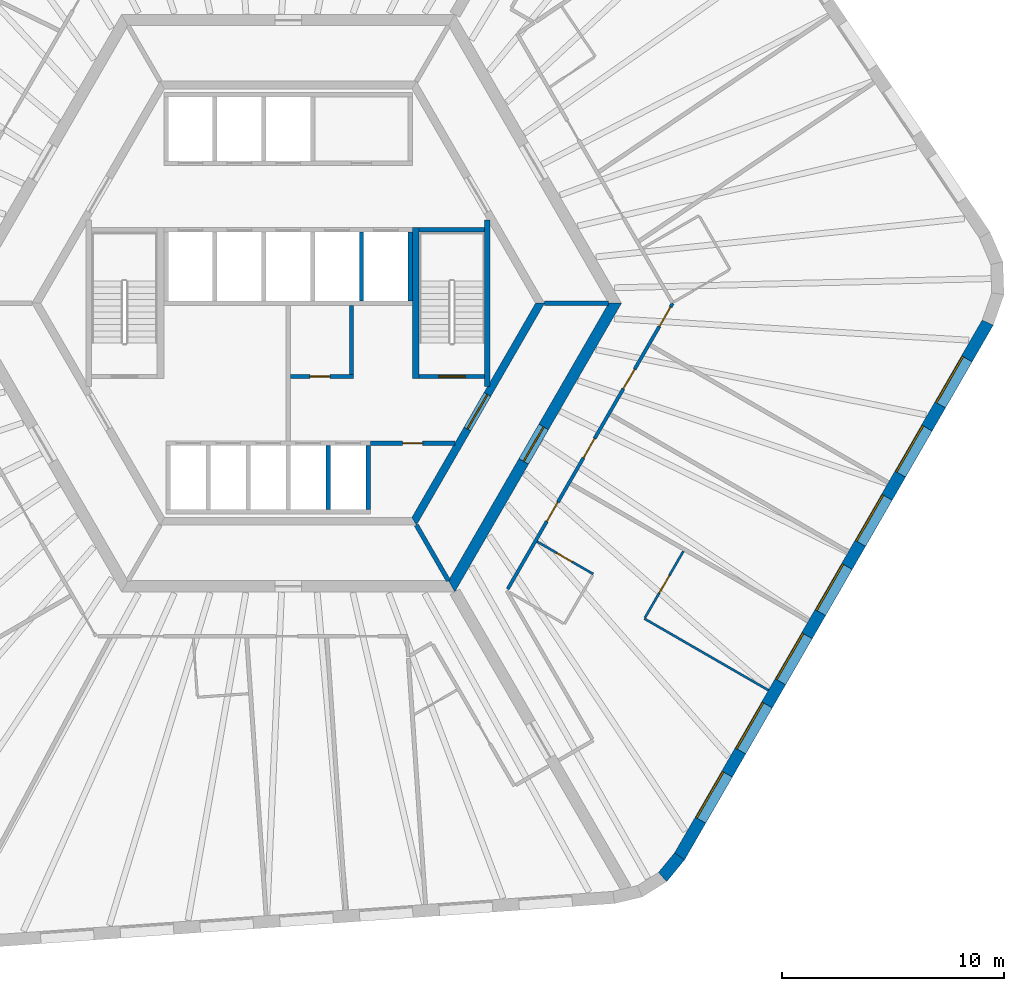
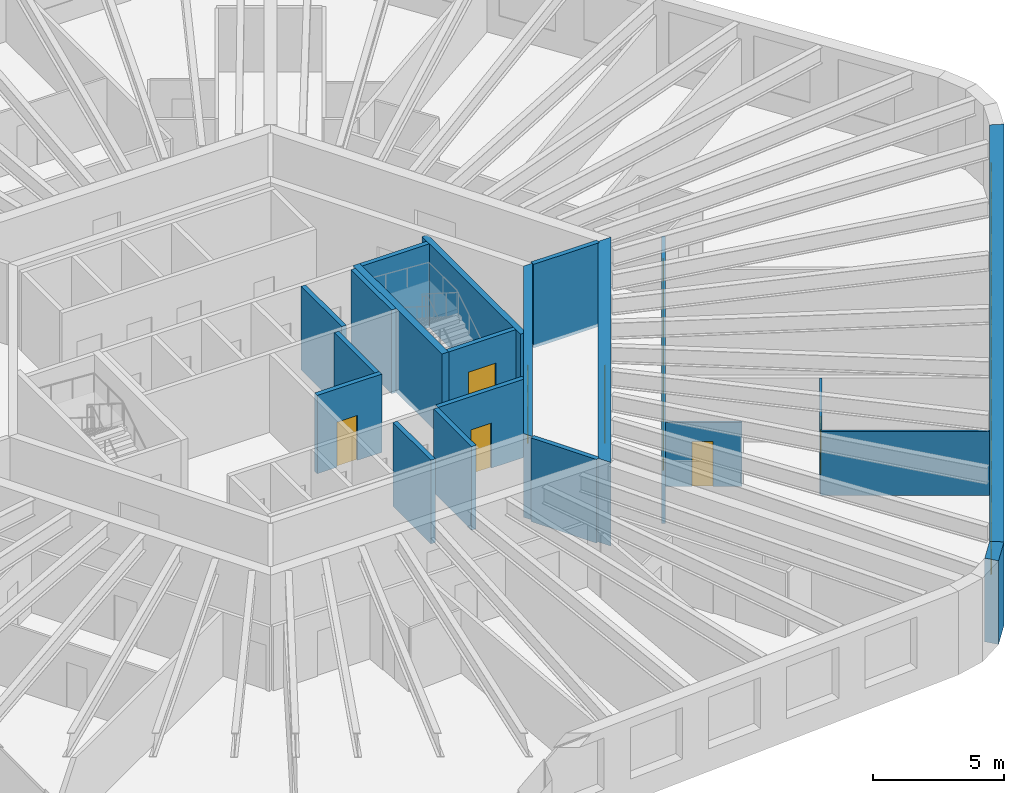
# One storey, part 5 of 10: 21 walls, 11 doors, 7 windows, 18 openings.
"""IFC4 building model written with IfcOpenShell, lengths in metres."""

from ifc_helpers import new_model, si_unit, direction, frame, frame_2d, origin, place, context, subcontext, project, spatial, polyline, rectangle, outline, extrude, material, layer, layer_set, type_object, element, fill, save


model = new_model("IFC4")

# Units and contexts
model_context = context("Model", 3, precision=1e-05, world=origin(), true_north=direction((0.0, 1.0)))
body_context = subcontext(model_context, "Body", "Model", "MODEL_VIEW")
ifc_project = project(units=[si_unit("LENGTHUNIT", "METRE"), si_unit("AREAUNIT", "SQUARE_METRE"), si_unit("VOLUMEUNIT", "CUBIC_METRE"), si_unit("PLANEANGLEUNIT", "RADIAN"), si_unit("MASSUNIT", "GRAM", prefix="KILO")], contexts=[model_context])

# Site, building, storey
site_placement = place(None, origin())
site = spatial("IfcSite", under=ifc_project, at=site_placement, CompositionType="ELEMENT")
building_placement = place(site_placement, origin())
building = spatial("IfcBuilding", under=site, at=building_placement, Name="Tarnside Tower", CompositionType="ELEMENT")
storey_placement = place(building_placement, frame((0.0, 0.0, 203.39990234375)))
storey = spatial("IfcBuildingStorey", under=building, at=storey_placement, Name="L48", CompositionType="ELEMENT", Elevation=203.39990234375)

# Wall, opening, door
ifc_material_1 = material(Name="Gypsum board partition on steel studs", Category="steel")
ifc_layer_1 = layer(ifc_material_1, 0.10009765625)
ifc_layer_set_1 = layer_set([ifc_layer_1], Name="Bathroom wall 100")
wall_type_1 = type_object("IfcWallType", Name="Bathroom wall 100", PredefinedType="PARTITIONING", material=ifc_layer_set_1)
wall_1_placement = place(storey_placement, frame((11.208740234375, -10.73583984375, 0.0), z_axis=(0.0, 0.0, 1.0), x_axis=(0.866046596414, -0.499963291492, 0.0)))
wall_1 = element("IfcWall", 1, at=wall_1_placement, inside=storey, type_object=wall_type_1, Name="Bathroom wall 15094", PredefinedType="PARTITIONING", context=body_context, shape_type="SweptSolid", body=[
    extrude(rectangle(XDim=2.925048828125, YDim=0.10009765625, at=frame_2d((1.46240234375, 0.0))), origin(), (0.0, 0.0, 1.0), 2.98779296875),
])
opening_1_placement = place(wall_1_placement, frame((1.02490234375, 0.0, 0.0)))
opening_1 = element("IfcOpeningElement", 2, at=opening_1_placement, cuts=wall_1, Name="Opening D-B1", PredefinedType="OPENING", context=body_context, shape_type="SweptSolid", body=[
    extrude(rectangle(XDim=0.800048828125, YDim=2.10009765625, at=frame_2d((0.39990234375, 1.050048828125))), frame((0.0, 0.06005859375, 0.0), z_axis=(0.0, -1.0, 0.0), x_axis=(1.0, 0.0, 0.0)), (0.0, 0.0, 1.0), 0.1201171875),
])
ifc_material_2 = material(Name="Timber door leaf", Category="wood")
door_type_1 = type_object("IfcDoorType", Name="Bathroom door 800", OperationType="NOTDEFINED", PredefinedType="DOOR", material=ifc_material_2)
door_1_placement = place(opening_1_placement, origin())
door_1 = element("IfcDoor", 3, at=door_1_placement, inside=storey, type_object=door_type_1, Name="Bathroom door 15026", OperationType="SINGLE_SWING_RIGHT", OverallHeight=2.10009765625, OverallWidth=0.800048828125, PredefinedType="DOOR", context=body_context, shape_type="SweptSolid", body=[
    extrude(rectangle(XDim=0.800048828125, YDim=2.10009765625, at=frame_2d((0.39990234375, 1.050048828125))), frame((0.0, 0.02490234375, 0.0), z_axis=(0.0, -1.0, 0.0), x_axis=(1.0, 0.0, 0.0)), (0.0, 0.0, 1.0), 0.050048828125),
])
fill(opening_1, door_1)

ifc_material_3 = material(Name="Concrete C50/60", Category="concrete")
ifc_layer_2 = layer(ifc_material_3, 0.35009765625)
ifc_layer_set_2 = layer_set([ifc_layer_2], Name="Core block wall 350 C50/60")
wall_type_2 = type_object("IfcWallType", Name="Core block wall 350 C50/60", PredefinedType="SHEAR", material=ifc_layer_set_2)
wall_2_placement = place(storey_placement, frame((5.672607421875, -9.824951171875, -0.14990234375), z_axis=(0.0, 0.0, 1.0), x_axis=(0.499995046907, 0.866028263435, 0.0)))
wall_2 = element("IfcWall", 4, at=wall_2_placement, inside=storey, type_object=wall_type_2, Name="L48 core block wall face 5", PredefinedType="SHEAR", context=body_context, shape_type="SweptSolid", body=[
    extrude(outline(polyline([(-0.10107421875, -0.175048828125), (11.44580078125, -0.175048828125), (11.24365234375, 0.175048828125), (0.10107421875, 0.175048828125), (-0.10107421875, -0.175048828125)])), origin(), (0.0, 0.0, 1.0), 3.89990234375),
])
opening_2_placement = place(wall_2_placement, frame((4.80126953125, 0.0, 0.14990234375)))
opening_2 = element("IfcOpeningElement", 5, at=opening_2_placement, cuts=wall_2, Name="Opening CD-FFL", PredefinedType="OPENING", context=body_context, shape_type="SweptSolid", body=[
    extrude(rectangle(XDim=1.800048828125, YDim=2.39990234375, at=frame_2d((0.89990234375, 1.199951171875))), frame((0.0, 0.18505859375, 0.0), z_axis=(0.0, -1.0, 0.0), x_axis=(1.0, 0.0, 0.0)), (0.0, 0.0, 1.0), 0.3701171875),
])
ifc_material_4 = material(Name="Steel fire door", Category="steel")
door_type_2 = type_object("IfcDoorType", Name="Firefighting lobby double door FD60S 1800x2400", OperationType="NOTDEFINED", PredefinedType="DOOR", material=ifc_material_4)
door_2_placement = place(opening_2_placement, origin())
door_2 = element("IfcDoor", 6, at=door_2_placement, inside=storey, type_object=door_type_2, Name="L48 lobby block door P4", OperationType="DOUBLE_DOOR_SINGLE_SWING", OverallHeight=2.39990234375, OverallWidth=1.800048828125, PredefinedType="DOOR", context=body_context, shape_type="SweptSolid", body=[
    extrude(rectangle(XDim=1.800048828125, YDim=2.39990234375, at=frame_2d((0.89990234375, 1.199951171875))), frame((0.0, 0.02490234375, 0.0), z_axis=(0.0, -1.0, 0.0), x_axis=(1.0, 0.0, 0.0)), (0.0, 0.0, 1.0), 0.050048828125),
])
fill(opening_2, door_2)

ifc_material_5 = material(Name="Concrete C40/50", Category="concrete")
ifc_layer_3 = layer(ifc_material_5, 0.199951171875)
ifc_layer_set_3 = layer_set([ifc_layer_3], Name="Core room partition 200 C40/50")
wall_type_3 = type_object("IfcWallType", Name="Core room partition 200 C40/50", PredefinedType="PARTITIONING", material=ifc_layer_set_3)
wall_3_placement = place(storey_placement, frame((0.10009765625, -3.300048828125, 0.0), z_axis=(0.0, 0.0, 1.0), x_axis=(1.0, 0.0, 0.0)))
wall_3 = element("IfcWall", 7, at=wall_3_placement, inside=storey, type_object=wall_type_3, Name="L48 core partition R3S1", PredefinedType="PARTITIONING", context=body_context, shape_type="SweptSolid", body=[
    extrude(rectangle(XDim=2.849853515625, YDim=0.199951171875, at=frame_2d((1.4248046875, 0.0))), origin(), (0.0, 0.0, 1.0), 3.650146484375),
])
opening_3_placement = place(wall_3_placement, frame((0.875, 0.0, 0.0)))
opening_3 = element("IfcOpeningElement", 8, at=opening_3_placement, cuts=wall_3, Name="Opening CD-room", PredefinedType="OPENING", context=body_context, shape_type="SweptSolid", body=[
    extrude(rectangle(XDim=0.89990234375, YDim=2.10009765625, at=frame_2d((0.449951171875, 1.050048828125))), frame((0.0, 0.10986328125, 0.0), z_axis=(0.0, -1.0, 0.0), x_axis=(1.0, 0.0, 0.0)), (0.0, 0.0, 1.0), 0.219970703125),
])
door_type_3 = type_object("IfcDoorType", Name="Room door FD60 900x2100", OperationType="NOTDEFINED", PredefinedType="DOOR", material=ifc_material_4)
door_3_placement = place(opening_3_placement, origin())
door_3 = element("IfcDoor", 9, at=door_3_placement, inside=storey, type_object=door_type_3, Name="L48 core room door SR1", OperationType="SINGLE_SWING_LEFT", OverallHeight=2.10009765625, OverallWidth=0.89990234375, PredefinedType="DOOR", context=body_context, shape_type="SweptSolid", body=[
    extrude(rectangle(XDim=0.89990234375, YDim=2.10009765625, at=frame_2d((0.449951171875, 1.050048828125))), frame((0.0, 0.02490234375, 0.0), z_axis=(0.0, -1.0, 0.0), x_axis=(1.0, 0.0, 0.0)), (0.0, 0.0, 1.0), 0.050048828125),
])
fill(opening_3, door_3)

# Wall
wall_4_placement = place(storey_placement, frame((2.85009765625, -3.199951171875, 0.0), z_axis=(0.0, 0.0, 1.0), x_axis=(0.0, 1.0, 0.0)))
element("IfcWall", 10, at=wall_4_placement, inside=storey, type_object=wall_type_3, Name="L48 core partition R3P1b", PredefinedType="PARTITIONING", context=body_context, shape_type="SweptSolid", body=[
    extrude(rectangle(XDim=3.099853515625, YDim=0.199951171875, at=frame_2d((1.5498046875, 0.0))), origin(), (0.0, 0.0, 1.0), 3.650146484375),
])

# Wall, opening, door
wall_5_placement = place(storey_placement, frame((3.699951171875, -6.300048828125, 0.0), z_axis=(0.0, 0.0, 1.0), x_axis=(1.0, 0.0, 0.0)))
wall_5 = element("IfcWall", 11, at=wall_5_placement, inside=storey, type_object=wall_type_3, Name="L48 core partition R4X", PredefinedType="PARTITIONING", context=body_context, shape_type="SweptSolid", body=[
    extrude(rectangle(XDim=3.8056640625, YDim=0.199951171875, at=frame_2d((1.90283203125, 0.0))), origin(), (0.0, 0.0, 1.0), 3.650146484375),
])
opening_4_placement = place(wall_5_placement, frame((1.452880859375, 0.0, 0.0)))
opening_4 = element("IfcOpeningElement", 12, at=opening_4_placement, cuts=wall_5, Name="Opening CD-room", PredefinedType="OPENING", context=body_context, shape_type="SweptSolid", body=[
    extrude(rectangle(XDim=0.89990234375, YDim=2.10009765625, at=frame_2d((0.449951171875, 1.050048828125))), frame((0.0, 0.10986328125, 0.0), z_axis=(0.0, -1.0, 0.0), x_axis=(1.0, 0.0, 0.0)), (0.0, 0.0, 1.0), 0.219970703125),
])
door_4_placement = place(opening_4_placement, origin())
door_4 = element("IfcDoor", 13, at=door_4_placement, inside=storey, type_object=door_type_3, Name="L48 core room door RX", OperationType="SINGLE_SWING_LEFT", OverallHeight=2.10009765625, OverallWidth=0.89990234375, PredefinedType="DOOR", context=body_context, shape_type="SweptSolid", body=[
    extrude(rectangle(XDim=0.89990234375, YDim=2.10009765625, at=frame_2d((0.449951171875, 1.050048828125))), frame((0.0, 0.02490234375, 0.0), z_axis=(0.0, -1.0, 0.0), x_axis=(1.0, 0.0, 0.0)), (0.0, 0.0, 1.0), 0.050048828125),
])
fill(opening_4, door_4)

ifc_material_6 = material(Name="Concrete C70/85", Category="concrete")
ifc_layer_4 = layer(ifc_material_6, 0.5)
ifc_layer_set_4 = layer_set([ifc_layer_4], Name="Core wall Z2 500 C70/85")
wall_type_4 = type_object("IfcWallType", Name="Core wall Z2 500 C70/85", PredefinedType="SHEAR", material=ifc_layer_set_4)
wall_6_placement = place(storey_placement, frame((7.361083984375, -12.75, -0.14990234375), z_axis=(0.0, 0.0, 1.0), x_axis=(0.50000571537, 0.866022103989, 0.0)))
wall_6 = element("IfcWall", 14, at=wall_6_placement, inside=storey, type_object=wall_type_4, Name="L48 core wall face 5", PredefinedType="SHEAR", context=body_context, shape_type="SweptSolid", body=[
    extrude(outline(polyline([(-0.144287109375, -0.25), (14.86669921875, -0.25), (14.578125, 0.25), (0.144287109375, 0.25), (-0.144287109375, -0.25)])), origin(), (0.0, 0.0, 1.0), 3.89990234375),
])
opening_5_placement = place(wall_6_placement, frame((6.489990234375, 0.0, 0.14990234375)))
opening_5 = element("IfcOpeningElement", 15, at=opening_5_placement, cuts=wall_6, Name="Opening CD-FFL", PredefinedType="OPENING", context=body_context, shape_type="SweptSolid", body=[
    extrude(rectangle(XDim=1.800048828125, YDim=2.39990234375, at=frame_2d((0.89990234375, 1.199951171875))), frame((0.0, 0.260009765625, 0.0), z_axis=(0.0, -1.0, 0.0), x_axis=(1.0, 0.0, 0.0)), (0.0, 0.0, 1.0), 0.52001953125),
])
door_5_placement = place(opening_5_placement, origin())
door_5 = element("IfcDoor", 16, at=door_5_placement, inside=storey, type_object=door_type_2, Name="L48 core door P4", OperationType="DOUBLE_DOOR_SINGLE_SWING", OverallHeight=2.39990234375, OverallWidth=1.800048828125, PredefinedType="DOOR", context=body_context, shape_type="SweptSolid", body=[
    extrude(rectangle(XDim=1.800048828125, YDim=2.39990234375, at=frame_2d((0.89990234375, 1.199951171875))), frame((0.0, 0.02490234375, 0.0), z_axis=(0.0, -1.0, 0.0), x_axis=(1.0, 0.0, 0.0)), (0.0, 0.0, 1.0), 0.050048828125),
])
fill(opening_5, door_5)

# Wall, openings, doors
ifc_layer_5 = layer(ifc_material_1, 0.14990234375)
ifc_layer_set_5 = layer_set([ifc_layer_5], Name="Corridor wall 150 EI 60")
wall_type_5 = type_object("IfcWallType", Name="Corridor wall 150 EI 60", PredefinedType="PARTITIONING", material=ifc_layer_set_5)
wall_7_placement = place(storey_placement, frame((9.88720703125, -12.875, 0.0), z_axis=(0.0, 0.0, 1.0), x_axis=(0.499998228944, 0.866026426302, 0.0)))
wall_7 = element("IfcWall", 17, at=wall_7_placement, inside=storey, type_object=wall_type_5, Name="Corridor wall 15035", PredefinedType="PARTITIONING", context=body_context, shape_type="SweptSolid", body=[
    extrude(rectangle(XDim=14.86669921875, YDim=0.14990234375, at=frame_2d((7.433349609375, 0.0))), origin(), (0.0, 0.0, 1.0), 2.98779296875),
])
opening_6_placement = place(wall_7_placement, frame((3.518798828125, 0.0, 0.0)))
opening_6 = element("IfcOpeningElement", 18, at=opening_6_placement, cuts=wall_7, Name="Opening D-E1", PredefinedType="OPENING", context=body_context, shape_type="SweptSolid", body=[
    extrude(rectangle(XDim=1.0, YDim=2.10009765625, at=frame_2d((0.5, 1.050048828125))), frame((0.0, 0.0849609375, 0.0), z_axis=(0.0, -1.0, 0.0), x_axis=(1.0, 0.0, 0.0)), (0.0, 0.0, 1.0), 0.169921875),
])
opening_7_placement = place(wall_7_placement, frame((6.824462890625, 0.0, 0.0)))
opening_7 = element("IfcOpeningElement", 19, at=opening_7_placement, cuts=wall_7, Name="Opening D-E1", PredefinedType="OPENING", context=body_context, shape_type="SweptSolid", body=[
    extrude(rectangle(XDim=1.0, YDim=2.10009765625, at=frame_2d((0.5, 1.050048828125))), frame((0.0, 0.0849609375, 0.0), z_axis=(0.0, -1.0, 0.0), x_axis=(1.0, 0.0, 0.0)), (0.0, 0.0, 1.0), 0.169921875),
])
opening_8_placement = place(wall_7_placement, frame((10.42431640625, 0.0, 0.0)))
opening_8 = element("IfcOpeningElement", 20, at=opening_8_placement, cuts=wall_7, Name="Opening D-E1", PredefinedType="OPENING", context=body_context, shape_type="SweptSolid", body=[
    extrude(rectangle(XDim=1.0, YDim=2.10009765625, at=frame_2d((0.5, 1.050048828125))), frame((0.0, 0.0849609375, 0.0), z_axis=(0.0, -1.0, 0.0), x_axis=(1.0, 0.0, 0.0)), (0.0, 0.0, 1.0), 0.169921875),
])
opening_9_placement = place(wall_7_placement, frame((13.666748046875, 0.0, 0.0)))
opening_9 = element("IfcOpeningElement", 21, at=opening_9_placement, cuts=wall_7, Name="Opening D-E1", PredefinedType="OPENING", context=body_context, shape_type="SweptSolid", body=[
    extrude(rectangle(XDim=1.0, YDim=2.10009765625, at=frame_2d((0.5, 1.050048828125))), frame((0.0, 0.0849609375, 0.0), z_axis=(0.0, -1.0, 0.0), x_axis=(1.0, 0.0, 0.0)), (0.0, 0.0, 1.0), 0.169921875),
])
door_type_4 = type_object("IfcDoorType", Name="Unit entrance door 1000 FD30S", OperationType="NOTDEFINED", PredefinedType="DOOR", material=ifc_material_2)
door_6_placement = place(opening_6_placement, origin())
door_6 = element("IfcDoor", 22, at=door_6_placement, inside=storey, type_object=door_type_4, Name="Unit door 15025", OperationType="SINGLE_SWING_RIGHT", OverallHeight=2.10009765625, OverallWidth=1.0, PredefinedType="DOOR", context=body_context, shape_type="SweptSolid", body=[
    extrude(rectangle(XDim=1.0, YDim=2.10009765625, at=frame_2d((0.5, 1.050048828125))), frame((0.0, 0.02490234375, 0.0), z_axis=(0.0, -1.0, 0.0), x_axis=(1.0, 0.0, 0.0)), (0.0, 0.0, 1.0), 0.050048828125),
])
fill(opening_6, door_6)
door_7_placement = place(opening_7_placement, origin())
door_7 = element("IfcDoor", 23, at=door_7_placement, inside=storey, type_object=door_type_4, Name="Unit door 15028", OperationType="SINGLE_SWING_RIGHT", OverallHeight=2.10009765625, OverallWidth=1.0, PredefinedType="DOOR", context=body_context, shape_type="SweptSolid", body=[
    extrude(rectangle(XDim=1.0, YDim=2.10009765625, at=frame_2d((0.5, 1.050048828125))), frame((0.0, 0.02490234375, 0.0), z_axis=(0.0, -1.0, 0.0), x_axis=(1.0, 0.0, 0.0)), (0.0, 0.0, 1.0), 0.050048828125),
])
fill(opening_7, door_7)
door_8_placement = place(opening_8_placement, origin())
door_8 = element("IfcDoor", 24, at=door_8_placement, inside=storey, type_object=door_type_4, Name="Unit door 15029", OperationType="SINGLE_SWING_RIGHT", OverallHeight=2.10009765625, OverallWidth=1.0, PredefinedType="DOOR", context=body_context, shape_type="SweptSolid", body=[
    extrude(rectangle(XDim=1.0, YDim=2.10009765625, at=frame_2d((0.5, 1.050048828125))), frame((0.0, 0.02490234375, 0.0), z_axis=(0.0, -1.0, 0.0), x_axis=(1.0, 0.0, 0.0)), (0.0, 0.0, 1.0), 0.050048828125),
])
fill(opening_8, door_8)
door_9_placement = place(opening_9_placement, origin())
door_9 = element("IfcDoor", 25, at=door_9_placement, inside=storey, type_object=door_type_4, Name="Unit door 15030", OperationType="SINGLE_SWING_LEFT", OverallHeight=2.10009765625, OverallWidth=1.0, PredefinedType="DOOR", context=body_context, shape_type="SweptSolid", body=[
    extrude(rectangle(XDim=1.0, YDim=2.10009765625, at=frame_2d((0.5, 1.050048828125))), frame((0.0, 0.02490234375, 0.0), z_axis=(0.0, -1.0, 0.0), x_axis=(1.0, 0.0, 0.0)), (0.0, 0.0, 1.0), 0.050048828125),
])
fill(opening_9, door_9)

# Walls
ifc_layer_6 = layer(ifc_material_5, 0.199951171875)
ifc_layer_set_6 = layer_set([ifc_layer_6], Name="Lift shaft wall 200 C40/50")
wall_type_6 = type_object("IfcWallType", Name="Lift shaft wall 200 C40/50", PredefinedType="SHEAR", material=ifc_layer_set_6)
for number, where, z_axis, x_axis, name in (
    (26, (3.300048828125, 0.10009765625, -0.25), (0.0, 0.0, 1.0), (0.0, 1.0, 0.0), "L48 lift shaft partition R25"),
    (27, (5.5, 0.10009765625, -0.25), (0.0, 0.0, 1.0), (0.0, 1.0, 0.0), "L48 lift shaft partition R26"),
):
    element("IfcWall", number, at=place(storey_placement, frame(where, z_axis=z_axis, x_axis=x_axis)), inside=storey, type_object=wall_type_6, Name=name, PredefinedType="SHEAR", context=body_context, shape_type="SweptSolid", body=[
        extrude(rectangle(XDim=3.099853515625, YDim=0.199951171875, at=frame_2d((1.5498046875, 0.0))), origin(), (0.0, 0.0, 1.0), 3.900146484375),
    ])
for number, where, z_axis, x_axis, name in (
    (28, (1.800048828125, -9.300048828125, -0.25), (0.0, 0.0, 1.0), (0.0, 1.0, 0.0), "L48 lift shaft partition R45"),
    (29, (3.60009765625, -9.300048828125, -0.25), (0.0, 0.0, 1.0), (0.0, 1.0, 0.0), "L48 lift shaft partition R46"),
):
    element("IfcWall", number, at=place(storey_placement, frame(where, z_axis=z_axis, x_axis=x_axis)), inside=storey, type_object=wall_type_6, Name=name, PredefinedType="SHEAR", context=body_context, shape_type="SweptSolid", body=[
        extrude(rectangle(XDim=2.900146484375, YDim=0.199951171875, at=frame_2d((1.4501953125, 0.0))), origin(), (0.0, 0.0, 1.0), 3.900146484375),
    ])
for number, where, z_axis, x_axis, name in (
    (30, (11.547119140625, 0.0, -0.14990234375), (0.0, 0.0, 1.0), (1.0, 0.0, 0.0), "L48 core partition AR0"),
    (31, (5.7734375, -10.0, -0.14990234375), (0.0, 0.0, 1.0), (0.499995765644, -0.866027848477, 0.0), "L48 core partition AR300"),
):
    element("IfcWall", number, at=place(storey_placement, frame(where, z_axis=z_axis, x_axis=x_axis)), inside=storey, type_object=wall_type_6, Name=name, PredefinedType="SHEAR", context=body_context, shape_type="SweptSolid", body=[
        extrude(rectangle(XDim=2.88671875, YDim=0.199951171875, at=frame_2d((1.443359375, 0.0))), origin(), (0.0, 0.0, 1.0), 3.89990234375),
    ])
wall_8_placement = place(storey_placement, frame((5.89990234375, 3.300048828125, -0.25), z_axis=(0.0, 0.0, 1.0), x_axis=(1.0, 0.0, 0.0)))
element("IfcWall", 32, at=wall_8_placement, inside=storey, type_object=wall_type_6, Name="L48 stair 1 enclosure cap wall n", PredefinedType="SHEAR", context=body_context, shape_type="SweptSolid", body=[
    extrude(rectangle(XDim=2.9501953125, YDim=0.199951171875, at=frame_2d((1.47509765625, 0.0))), origin(), (0.0, 0.0, 1.0), 3.900146484375),
])

# Wall, opening, door
wall_9_placement = place(storey_placement, frame((5.89990234375, -3.300048828125, -0.25), z_axis=(0.0, 0.0, 1.0), x_axis=(1.0, 0.0, 0.0)))
wall_9 = element("IfcWall", 33, at=wall_9_placement, inside=storey, type_object=wall_type_6, Name="L48 stair 1 enclosure cap wall s", PredefinedType="SHEAR", context=body_context, shape_type="SweptSolid", body=[
    extrude(rectangle(XDim=2.9501953125, YDim=0.199951171875, at=frame_2d((1.47509765625, 0.0))), origin(), (0.0, 0.0, 1.0), 3.900146484375),
])
opening_10_placement = place(wall_9_placement, frame((0.875, 0.0, 0.25)))
opening_10 = element("IfcOpeningElement", 34, at=opening_10_placement, cuts=wall_9, Name="Opening CD-STR", PredefinedType="OPENING", context=body_context, shape_type="SweptSolid", body=[
    extrude(rectangle(XDim=1.199951171875, YDim=2.39990234375, at=frame_2d((0.60009765625, 1.199951171875))), frame((0.0, 0.10986328125, 0.0), z_axis=(0.0, -1.0, 0.0), x_axis=(1.0, 0.0, 0.0)), (0.0, 0.0, 1.0), 0.219970703125),
])
door_type_5 = type_object("IfcDoorType", Name="Stair door FD60S 1200x2400", OperationType="NOTDEFINED", PredefinedType="DOOR", material=ifc_material_4)
door_10_placement = place(opening_10_placement, origin())
door_10 = element("IfcDoor", 35, at=door_10_placement, inside=storey, type_object=door_type_5, Name="L48 stair 1 door", OperationType="SINGLE_SWING_LEFT", OverallHeight=2.39990234375, OverallWidth=1.199951171875, PredefinedType="DOOR", context=body_context, shape_type="SweptSolid", body=[
    extrude(rectangle(XDim=1.199951171875, YDim=2.39990234375, at=frame_2d((0.60009765625, 1.199951171875))), frame((0.0, 0.02490234375, 0.0), z_axis=(0.0, -1.0, 0.0), x_axis=(1.0, 0.0, 0.0)), (0.0, 0.0, 1.0), 0.050048828125),
])
fill(opening_10, door_10)

# Wall
ifc_layer_7 = layer(ifc_material_1, 0.10009765625)
ifc_layer_set_7 = layer_set([ifc_layer_7], Name="Partition 100")
wall_type_7 = type_object("IfcWallType", Name="Partition 100", PredefinedType="PARTITIONING", material=ifc_layer_set_7)
wall_10_placement = place(storey_placement, frame((21.63134765625, -17.433349609375, 0.0), z_axis=(0.0, 0.0, 1.0), x_axis=(-0.86603809205, 0.499978022635, 0.0)))
element("IfcWall", 36, at=wall_10_placement, inside=storey, type_object=wall_type_7, Name="Partition wall 15097", PredefinedType="PARTITIONING", context=body_context, shape_type="SweptSolid", body=[
    extrude(rectangle(XDim=6.449951171875, YDim=0.10009765625, at=frame_2d((3.22509765625, 0.0))), origin(), (0.0, 0.0, 1.0), 2.98779296875),
])

# Wall, opening, door
wall_11_placement = place(storey_placement, frame((16.070556640625, -14.1650390625, 0.0), z_axis=(0.0, 0.0, 1.0), x_axis=(0.500009533716, 0.866019899421, 0.0)))
wall_11 = element("IfcWall", 37, at=wall_11_placement, inside=storey, type_object=wall_type_7, Name="Partition wall 15098", PredefinedType="PARTITIONING", context=body_context, shape_type="SweptSolid", body=[
    extrude(rectangle(XDim=3.4599609375, YDim=0.10009765625, at=frame_2d((1.72998046875, 0.0))), origin(), (0.0, 0.0, 1.0), 2.98779296875),
])
opening_11_placement = place(wall_11_placement, frame((1.300048828125, 0.0, 0.0)))
opening_11 = element("IfcOpeningElement", 38, at=opening_11_placement, cuts=wall_11, Name="Opening D-I1", PredefinedType="OPENING", context=body_context, shape_type="SweptSolid", body=[
    extrude(rectangle(XDim=0.89990234375, YDim=2.10009765625, at=frame_2d((0.449951171875, 1.050048828125))), frame((0.0, 0.06005859375, 0.0), z_axis=(0.0, -1.0, 0.0), x_axis=(1.0, 0.0, 0.0)), (0.0, 0.0, 1.0), 0.1201171875),
])
door_type_6 = type_object("IfcDoorType", Name="Internal door 900", OperationType="NOTDEFINED", PredefinedType="DOOR", material=ifc_material_2)
door_11_placement = place(opening_11_placement, origin())
door_11 = element("IfcDoor", 39, at=door_11_placement, inside=storey, type_object=door_type_6, Name="Internal door 15027", OperationType="SINGLE_SWING_LEFT", OverallHeight=2.10009765625, OverallWidth=0.89990234375, PredefinedType="DOOR", context=body_context, shape_type="SweptSolid", body=[
    extrude(rectangle(XDim=0.89990234375, YDim=2.10009765625, at=frame_2d((0.449951171875, 1.050048828125))), frame((0.0, 0.02490234375, 0.0), z_axis=(0.0, -1.0, 0.0), x_axis=(1.0, 0.0, 0.0)), (0.0, 0.0, 1.0), 0.050048828125),
])
fill(opening_11, door_11)

# Walls
ifc_layer_8 = layer(ifc_material_5, 0.25)
ifc_layer_set_8 = layer_set([ifc_layer_8], Name="Stair enclosure wall 250 C40/50")
wall_type_8 = type_object("IfcWallType", Name="Stair enclosure wall 250 C40/50", PredefinedType="SHEAR", material=ifc_layer_set_8)
wall_12_placement = place(storey_placement, frame((8.97509765625, -3.7548828125, -0.25), z_axis=(0.0, 0.0, 1.0), x_axis=(0.0, 1.0, 0.0)))
element("IfcWall", 40, at=wall_12_placement, inside=storey, type_object=wall_type_8, Name="L48 stair 1 enclosure wall outer", PredefinedType="SHEAR", context=body_context, shape_type="SweptSolid", body=[
    extrude(rectangle(XDim=7.509765625, YDim=0.25, at=frame_2d((3.7548828125, 0.0))), origin(), (0.0, 0.0, 1.0), 3.900146484375),
])
ifc_layer_9 = layer(ifc_material_5, 0.300048828125)
ifc_layer_set_9 = layer_set([ifc_layer_9], Name="Stair enclosure wall 300 C40/50")
wall_type_9 = type_object("IfcWallType", Name="Stair enclosure wall 300 C40/50", PredefinedType="SHEAR", material=ifc_layer_set_9)
wall_13_placement = place(storey_placement, frame((5.75, -3.39990234375, -0.25), z_axis=(0.0, 0.0, 1.0), x_axis=(0.0, 1.0, 0.0)))
element("IfcWall", 41, at=wall_13_placement, inside=storey, type_object=wall_type_9, Name="L48 stair 1 enclosure wall inner", PredefinedType="SHEAR", context=body_context, shape_type="SweptSolid", body=[
    extrude(rectangle(XDim=6.7998046875, YDim=0.300048828125, at=frame_2d((3.39990234375, 0.0))), origin(), (0.0, 0.0, 1.0), 3.900146484375),
])
ifc_material_7 = material(Name="Facing brick", Category="masonry")
ifc_layer_10 = layer(ifc_material_7, 0.10205078125)
ifc_material_8 = material(Name="Concrete C60/75 precast", Category="concrete")
ifc_layer_11 = layer(ifc_material_8, 0.347900390625)
ifc_material_9 = material(Name="Mineral wool insulation")
ifc_layer_12 = layer(ifc_material_9, 0.10009765625)
ifc_layer_set_10 = layer_set([ifc_layer_10, ifc_layer_11, ifc_layer_12], Name="Tube wall 550 brick faced")
wall_type_10 = type_object("IfcWallType", Name="Tube wall 550 brick faced", PredefinedType="SOLIDWALL", material=ifc_layer_set_10)
wall_14_placement = place(storey_placement, frame((16.8642578125, -25.848388671875, -0.14990234375), z_axis=(0.0, 0.0, 1.0), x_axis=(0.633842757806, 0.773461930787, 0.0)))
element("IfcWall", 42, at=wall_14_placement, inside=storey, type_object=wall_type_10, Name="Tube wall L48 F4 chord 15", PredefinedType="SOLIDWALL", context=body_context, shape_type="SweptSolid", body=[
    extrude(outline(polyline([(-0.045166015625, -0.27490234375), (1.230712890625, -0.27490234375), (1.185791015625, 0.27490234375), (0.045166015625, 0.27490234375), (-0.045166015625, -0.27490234375)])), origin(), (0.0, 0.0, 1.0), 3.89990234375),
])

# Wall, openings, windows
wall_15_placement = place(storey_placement, frame((17.630126953125, -24.913818359375, -0.14990234375), z_axis=(0.0, 0.0, 1.0), x_axis=(0.499998569178, 0.866026229868, 0.0)))
wall_15 = element("IfcWall", 43, at=wall_15_placement, inside=storey, type_object=wall_type_10, Name="Tube wall L48 F5 flush 16", PredefinedType="SOLIDWALL", context=body_context, shape_type="SweptSolid", body=[
    extrude(outline(polyline([(-0.0224609375, -0.27490234375), (27.783447265625, -0.27490234375), (27.732177734375, 0.27490234375), (0.0224609375, 0.27490234375), (-0.0224609375, -0.27490234375)])), origin(), (0.0, 0.0, 1.0), 3.89990234375),
])
opening_12_placement = place(wall_15_placement, frame((1.87890625, 0.0, 1.050048828125)))
opening_12 = element("IfcOpeningElement", 44, at=opening_12_placement, cuts=wall_15, Name="Opening WH", PredefinedType="OPENING", context=body_context, shape_type="SweptSolid", body=[
    extrude(rectangle(XDim=2.39990234375, YDim=2.39990234375, at=frame_2d((1.199951171875, 1.199951171875))), frame((0.0, 0.28515625, 0.0), z_axis=(0.0, -1.0, 0.0), x_axis=(1.0, 0.0, 0.0)), (0.0, 0.0, 1.0), 0.570068359375),
])
opening_13_placement = place(wall_15_placement, frame((5.47900390625, 0.0, 1.050048828125)))
opening_13 = element("IfcOpeningElement", 45, at=opening_13_placement, cuts=wall_15, Name="Opening WH", PredefinedType="OPENING", context=body_context, shape_type="SweptSolid", body=[
    extrude(rectangle(XDim=2.39990234375, YDim=2.39990234375, at=frame_2d((1.199951171875, 1.199951171875))), frame((0.0, 0.28515625, 0.0), z_axis=(0.0, -1.0, 0.0), x_axis=(1.0, 0.0, 0.0)), (0.0, 0.0, 1.0), 0.570068359375),
])
opening_14_placement = place(wall_15_placement, frame((9.078857421875, 0.0, 1.050048828125)))
opening_14 = element("IfcOpeningElement", 46, at=opening_14_placement, cuts=wall_15, Name="Opening WH", PredefinedType="OPENING", context=body_context, shape_type="SweptSolid", body=[
    extrude(rectangle(XDim=2.39990234375, YDim=2.39990234375, at=frame_2d((1.199951171875, 1.199951171875))), frame((0.0, 0.28515625, 0.0), z_axis=(0.0, -1.0, 0.0), x_axis=(1.0, 0.0, 0.0)), (0.0, 0.0, 1.0), 0.570068359375),
])
opening_15_placement = place(wall_15_placement, frame((12.678955078125, 0.0, 1.050048828125)))
opening_15 = element("IfcOpeningElement", 47, at=opening_15_placement, cuts=wall_15, Name="Opening WH", PredefinedType="OPENING", context=body_context, shape_type="SweptSolid", body=[
    extrude(rectangle(XDim=2.39990234375, YDim=2.39990234375, at=frame_2d((1.199951171875, 1.199951171875))), frame((0.0, 0.28515625, 0.0), z_axis=(0.0, -1.0, 0.0), x_axis=(1.0, 0.0, 0.0)), (0.0, 0.0, 1.0), 0.570068359375),
])
opening_16_placement = place(wall_15_placement, frame((16.27880859375, 0.0, 1.050048828125)))
opening_16 = element("IfcOpeningElement", 48, at=opening_16_placement, cuts=wall_15, Name="Opening WH", PredefinedType="OPENING", context=body_context, shape_type="SweptSolid", body=[
    extrude(rectangle(XDim=2.39990234375, YDim=2.39990234375, at=frame_2d((1.199951171875, 1.199951171875))), frame((0.0, 0.28515625, 0.0), z_axis=(0.0, -1.0, 0.0), x_axis=(1.0, 0.0, 0.0)), (0.0, 0.0, 1.0), 0.570068359375),
])
opening_17_placement = place(wall_15_placement, frame((19.87890625, 0.0, 1.050048828125)))
opening_17 = element("IfcOpeningElement", 49, at=opening_17_placement, cuts=wall_15, Name="Opening WH", PredefinedType="OPENING", context=body_context, shape_type="SweptSolid", body=[
    extrude(rectangle(XDim=2.39990234375, YDim=2.39990234375, at=frame_2d((1.199951171875, 1.199951171875))), frame((0.0, 0.28515625, 0.0), z_axis=(0.0, -1.0, 0.0), x_axis=(1.0, 0.0, 0.0)), (0.0, 0.0, 1.0), 0.570068359375),
])
opening_18_placement = place(wall_15_placement, frame((23.47900390625, 0.0, 1.050048828125)))
opening_18 = element("IfcOpeningElement", 50, at=opening_18_placement, cuts=wall_15, Name="Opening WH", PredefinedType="OPENING", context=body_context, shape_type="SweptSolid", body=[
    extrude(rectangle(XDim=2.39990234375, YDim=2.39990234375, at=frame_2d((1.199951171875, 1.199951171875))), frame((0.0, 0.28515625, 0.0), z_axis=(0.0, -1.0, 0.0), x_axis=(1.0, 0.0, 0.0)), (0.0, 0.0, 1.0), 0.570068359375),
])
ifc_material_10 = material(Name="Aluminium-framed double glazing", Category="aluminium")
window_type = type_object("IfcWindowType", Name="Hotel window 2400 x 2400", PartitioningType="DOUBLE_PANEL_VERTICAL", PredefinedType="WINDOW", material=ifc_material_10)
window_1_placement = place(opening_12_placement, frame((0.0, 0.205078125, 0.0)))
window_1 = element("IfcWindow", 51, at=window_1_placement, inside=storey, type_object=window_type, Name="E.WN.L48.F5.00", OverallHeight=2.39990234375, OverallWidth=2.39990234375, PartitioningType="DOUBLE_PANEL_VERTICAL", PredefinedType="WINDOW", context=body_context, shape_type="SweptSolid", body=[
    extrude(rectangle(XDim=2.39990234375, YDim=2.39990234375, at=frame_2d((1.199951171875, 1.199951171875))), frame((0.0, 0.030029296875, 0.0), z_axis=(0.0, -1.0, 0.0), x_axis=(1.0, 0.0, 0.0)), (0.0, 0.0, 1.0), 0.06005859375),
])
fill(opening_12, window_1)
window_2_placement = place(opening_13_placement, frame((0.0, 0.205078125, 0.0)))
window_2 = element("IfcWindow", 52, at=window_2_placement, inside=storey, type_object=window_type, Name="E.WN.L48.F5.01", OverallHeight=2.39990234375, OverallWidth=2.39990234375, PartitioningType="DOUBLE_PANEL_VERTICAL", PredefinedType="WINDOW", context=body_context, shape_type="SweptSolid", body=[
    extrude(rectangle(XDim=2.39990234375, YDim=2.39990234375, at=frame_2d((1.199951171875, 1.199951171875))), frame((0.0, 0.030029296875, 0.0), z_axis=(0.0, -1.0, 0.0), x_axis=(1.0, 0.0, 0.0)), (0.0, 0.0, 1.0), 0.06005859375),
])
fill(opening_13, window_2)
window_3_placement = place(opening_14_placement, frame((0.0, 0.205078125, 0.0)))
window_3 = element("IfcWindow", 53, at=window_3_placement, inside=storey, type_object=window_type, Name="E.WN.L48.F5.02", OverallHeight=2.39990234375, OverallWidth=2.39990234375, PartitioningType="DOUBLE_PANEL_VERTICAL", PredefinedType="WINDOW", context=body_context, shape_type="SweptSolid", body=[
    extrude(rectangle(XDim=2.39990234375, YDim=2.39990234375, at=frame_2d((1.199951171875, 1.199951171875))), frame((0.0, 0.030029296875, 0.0), z_axis=(0.0, -1.0, 0.0), x_axis=(1.0, 0.0, 0.0)), (0.0, 0.0, 1.0), 0.06005859375),
])
fill(opening_14, window_3)
window_4_placement = place(opening_15_placement, frame((0.0, 0.205078125, 0.0)))
window_4 = element("IfcWindow", 54, at=window_4_placement, inside=storey, type_object=window_type, Name="E.WN.L48.F5.03", OverallHeight=2.39990234375, OverallWidth=2.39990234375, PartitioningType="DOUBLE_PANEL_VERTICAL", PredefinedType="WINDOW", context=body_context, shape_type="SweptSolid", body=[
    extrude(rectangle(XDim=2.39990234375, YDim=2.39990234375, at=frame_2d((1.199951171875, 1.199951171875))), frame((0.0, 0.030029296875, 0.0), z_axis=(0.0, -1.0, 0.0), x_axis=(1.0, 0.0, 0.0)), (0.0, 0.0, 1.0), 0.06005859375),
])
fill(opening_15, window_4)
window_5_placement = place(opening_16_placement, frame((0.0, 0.205078125, 0.0)))
window_5 = element("IfcWindow", 55, at=window_5_placement, inside=storey, type_object=window_type, Name="E.WN.L48.F5.04", OverallHeight=2.39990234375, OverallWidth=2.39990234375, PartitioningType="DOUBLE_PANEL_VERTICAL", PredefinedType="WINDOW", context=body_context, shape_type="SweptSolid", body=[
    extrude(rectangle(XDim=2.39990234375, YDim=2.39990234375, at=frame_2d((1.199951171875, 1.199951171875))), frame((0.0, 0.030029296875, 0.0), z_axis=(0.0, -1.0, 0.0), x_axis=(1.0, 0.0, 0.0)), (0.0, 0.0, 1.0), 0.06005859375),
])
fill(opening_16, window_5)
window_6_placement = place(opening_17_placement, frame((0.0, 0.205078125, 0.0)))
window_6 = element("IfcWindow", 56, at=window_6_placement, inside=storey, type_object=window_type, Name="E.WN.L48.F5.05", OverallHeight=2.39990234375, OverallWidth=2.39990234375, PartitioningType="DOUBLE_PANEL_VERTICAL", PredefinedType="WINDOW", context=body_context, shape_type="SweptSolid", body=[
    extrude(rectangle(XDim=2.39990234375, YDim=2.39990234375, at=frame_2d((1.199951171875, 1.199951171875))), frame((0.0, 0.030029296875, 0.0), z_axis=(0.0, -1.0, 0.0), x_axis=(1.0, 0.0, 0.0)), (0.0, 0.0, 1.0), 0.06005859375),
])
fill(opening_17, window_6)
window_7_placement = place(opening_18_placement, frame((0.0, 0.205078125, 0.0)))
window_7 = element("IfcWindow", 57, at=window_7_placement, inside=storey, type_object=window_type, Name="E.WN.L48.F5.06", OverallHeight=2.39990234375, OverallWidth=2.39990234375, PartitioningType="DOUBLE_PANEL_VERTICAL", PredefinedType="WINDOW", context=body_context, shape_type="SweptSolid", body=[
    extrude(rectangle(XDim=2.39990234375, YDim=2.39990234375, at=frame_2d((1.199951171875, 1.199951171875))), frame((0.0, 0.030029296875, 0.0), z_axis=(0.0, -1.0, 0.0), x_axis=(1.0, 0.0, 0.0)), (0.0, 0.0, 1.0), 0.06005859375),
])
fill(opening_18, window_7)

save(model, "model.ifc")
